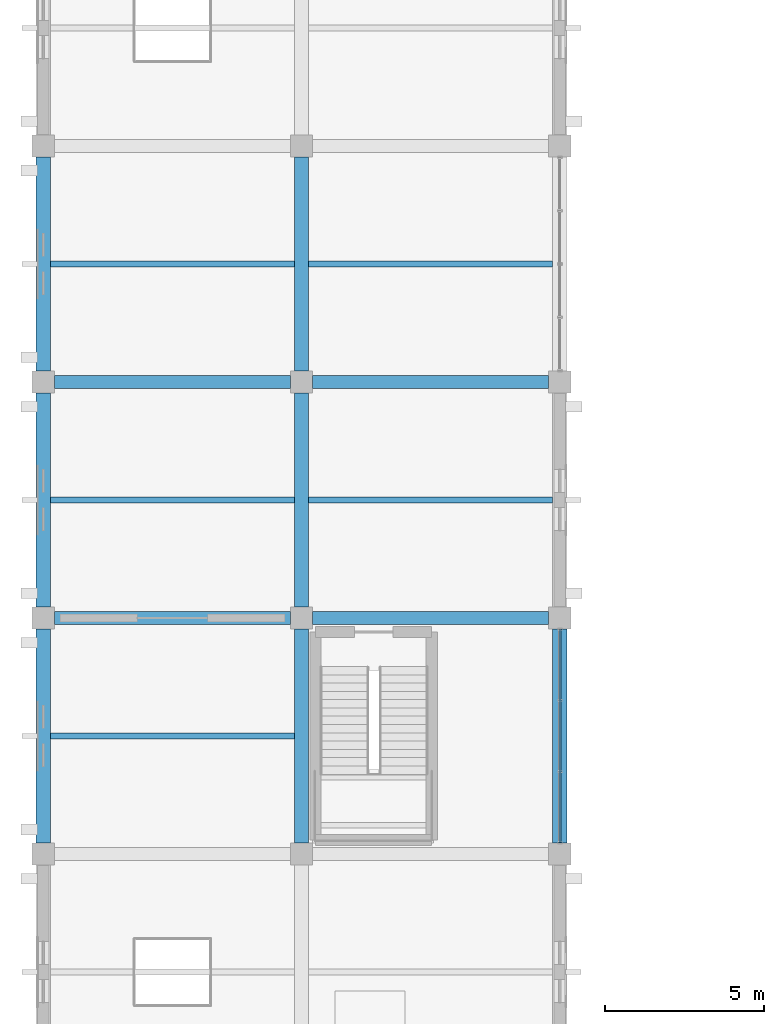
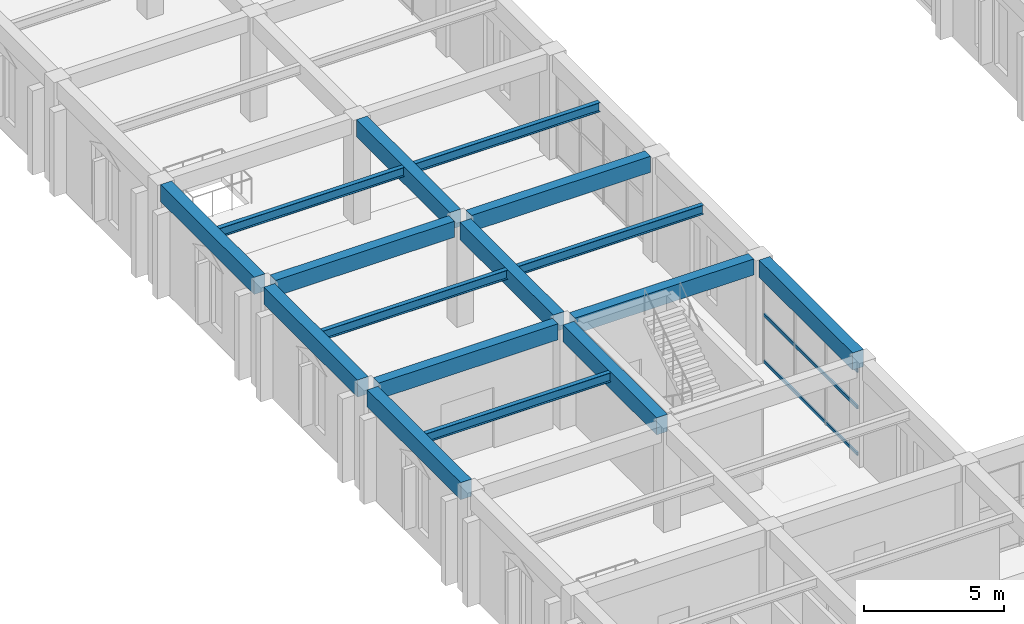
# One storey, part 15 of 161: 16 beams, 3 members, 1 element without a shape of its own.
"""IFC4 building model written with IfcOpenShell, lengths in metres."""

from ifc_helpers import new_model, si_unit, direction, frame, origin, origin_2d, place, context, subcontext, project, spatial, rectangle, hollow_rectangle, i_section, extrude, material, material_profile, profile_set, type_object, element, aggregate, save


model = new_model("IFC4")

# Units and contexts
model_context = context("Model", 3, precision=1e-05, world=origin(), true_north=direction((0.0, 1.0)))
body_context = subcontext(model_context, "Body", "Model", "MODEL_VIEW")
ifc_project = project(units=[si_unit("LENGTHUNIT", "METRE"), si_unit("AREAUNIT", "SQUARE_METRE"), si_unit("VOLUMEUNIT", "CUBIC_METRE"), si_unit("PLANEANGLEUNIT", "RADIAN"), si_unit("MASSUNIT", "GRAM", prefix="KILO")], contexts=[model_context])

# Site, building, storey
site_placement = place(None, origin())
site = spatial("IfcSite", under=ifc_project, at=site_placement, CompositionType="ELEMENT")
building_placement = place(site_placement, origin())
building = spatial("IfcBuilding", under=site, at=building_placement, Name="Cimatlan Art Gallery", CompositionType="ELEMENT")
storey_placement = place(building_placement, frame((0.0, 0.0, 5.39990234375)))
storey = spatial("IfcBuildingStorey", under=building, at=storey_placement, Name="L01", CompositionType="ELEMENT", Elevation=5.39990234375)

# Beams
ifc_material_1 = material(Name="Concrete C40/50", Category="concrete")
ifc_material_profile_1 = material_profile(ifc_material_1, rectangle(XDim=0.39990234375, YDim=0.699951171875, at=origin_2d()), Name="RC400X700")
ifc_profile_set_1 = profile_set([ifc_material_profile_1], Name="Concrete C40/50")
beam_type_1 = type_object("IfcBeamType", Name="BM-RC-400X700", PredefinedType="BEAM", material=ifc_profile_set_1)
for number, where, z_axis, x_axis, name in (
    (1, (2.35009765625, 53.5, 4.210205078125), (1.0, 0.0, 0.0), (0.0, 1.0, 0.0), "BM-X-L01-00-07"),
    (2, (2.35009765625, 60.89990234375, 4.210205078125), (1.0, 0.0, 0.0), (0.0, 1.0, 0.0), "BM-X-L01-00-08"),
):
    element("IfcBeam", number, at=place(storey_placement, frame(where, z_axis=z_axis, x_axis=x_axis)), inside=storey, type_object=beam_type_1, Name=name, PredefinedType="BEAM", context=body_context, shape_type="SweptSolid", body=[
        extrude(rectangle(XDim=0.39990234375, YDim=0.699951171875, at=origin_2d()), origin(), (0.0, 0.0, 1.0), 7.39990234375),
    ])
for number, where, z_axis, x_axis, name in (
    (3, (10.449951171875, 53.5, 4.210205078125), (1.0, 0.0, 0.0), (0.0, 1.0, 0.0), "BM-X-L01-01-07"),
    (4, (10.449951171875, 60.89990234375, 4.210205078125), (1.0, 0.0, 0.0), (0.0, 1.0, 0.0), "BM-X-L01-01-08"),
):
    element("IfcBeam", number, at=place(storey_placement, frame(where, z_axis=z_axis, x_axis=x_axis)), inside=storey, type_object=beam_type_1, Name=name, PredefinedType="BEAM", context=body_context, shape_type="SweptSolid", body=[
        extrude(rectangle(XDim=0.39990234375, YDim=0.699951171875, at=origin_2d()), origin(), (0.0, 0.0, 1.0), 7.400146484375),
    ])
ifc_material_profile_2 = material_profile(ifc_material_1, rectangle(XDim=0.449951171875, YDim=0.75, at=origin_2d()), Name="RC450X750")
ifc_profile_set_2 = profile_set([ifc_material_profile_2], Name="Concrete C40/50")
beam_type_2 = type_object("IfcBeamType", Name="BM-RC-450X750", PredefinedType="BEAM", material=ifc_profile_set_2)
for number, where, z_axis, x_axis, name in (
    (5, (2.0, 46.449951171875, 4.18505859375), (0.0, 1.0, 0.0), (-1.0, 0.0, 0.0), "BM-Y-L01-00-06"),
    (6, (2.0, 53.85009765625, 4.18505859375), (0.0, 1.0, 0.0), (-1.0, 0.0, 0.0), "BM-Y-L01-00-07"),
    (7, (2.0, 61.25, 4.18505859375), (0.0, 1.0, 0.0), (-1.0, 0.0, 0.0), "BM-Y-L01-00-08"),
    (8, (10.10009765625, 46.449951171875, 4.18505859375), (0.0, 1.0, 0.0), (-1.0, 0.0, 0.0), "BM-Y-L01-01-06"),
    (9, (10.10009765625, 53.85009765625, 4.18505859375), (0.0, 1.0, 0.0), (-1.0, 0.0, 0.0), "BM-Y-L01-01-07"),
    (10, (10.10009765625, 61.25, 4.18505859375), (0.0, 1.0, 0.0), (-1.0, 0.0, 0.0), "BM-Y-L01-01-08"),
    (11, (18.199951171875, 46.449951171875, 4.18505859375), (0.0, 1.0, 0.0), (-1.0, 0.0, 0.0), "BM-Y-L01-02-06"),
):
    element("IfcBeam", number, at=place(storey_placement, frame(where, z_axis=z_axis, x_axis=x_axis)), inside=storey, type_object=beam_type_2, Name=name, PredefinedType="BEAM", context=body_context, shape_type="SweptSolid", body=[
        extrude(rectangle(XDim=0.449951171875, YDim=0.75, at=origin_2d()), origin(), (0.0, 0.0, 1.0), 6.699951171875),
    ])
ifc_material_2 = material(Name="Steel ASTM A992 Grade 50", Category="steel")
ifc_material_profile_3 = material_profile(ifc_material_2, i_section(OverallWidth=0.177978515625, OverallDepth=0.406982421875, WebThickness=0.0078125, FlangeThickness=0.0126953125, at=origin_2d()), Name="W16X40")
ifc_profile_set_3 = profile_set([ifc_material_profile_3], Name="Steel ASTM A992 Grade 50")
beam_type_3 = type_object("IfcBeamType", Name="BM-STL-W16X40", PredefinedType="JOIST", material=ifc_profile_set_3)
for number, where, z_axis, x_axis, name in (
    (12, (2.22509765625, 49.800048828125, 4.356689453125), (1.0, 0.0, 0.0), (0.0, 1.0, 0.0), "JST-L01-00-06"),
    (13, (2.22509765625, 57.199951171875, 4.356689453125), (1.0, 0.0, 0.0), (0.0, 1.0, 0.0), "JST-L01-00-07"),
    (14, (2.22509765625, 64.60009765625, 4.356689453125), (1.0, 0.0, 0.0), (0.0, 1.0, 0.0), "JST-L01-00-08"),
):
    element("IfcBeam", number, at=place(storey_placement, frame(where, z_axis=z_axis, x_axis=x_axis)), inside=storey, type_object=beam_type_3, Name=name, PredefinedType="JOIST", context=body_context, shape_type="SweptSolid", body=[
        extrude(i_section(OverallWidth=0.177978515625, OverallDepth=0.406982421875, WebThickness=0.0078125, FlangeThickness=0.0126953125, at=origin_2d()), origin(), (0.0, 0.0, 1.0), 7.64990234375),
    ])
for number, where, z_axis, x_axis, name in (
    (15, (10.324951171875, 57.199951171875, 4.356689453125), (1.0, 0.0, 0.0), (0.0, 1.0, 0.0), "JST-L01-01-07"),
    (16, (10.324951171875, 64.60009765625, 4.356689453125), (1.0, 0.0, 0.0), (0.0, 1.0, 0.0), "JST-L01-01-08"),
):
    element("IfcBeam", number, at=place(storey_placement, frame(where, z_axis=z_axis, x_axis=x_axis)), inside=storey, type_object=beam_type_3, Name=name, PredefinedType="JOIST", context=body_context, shape_type="SweptSolid", body=[
        extrude(i_section(OverallWidth=0.177978515625, OverallDepth=0.406982421875, WebThickness=0.0078125, FlangeThickness=0.0126953125, at=origin_2d()), origin(), (0.0, 0.0, 1.0), 7.650146484375),
    ])

# Curtain wall, members
ifc_material_3 = material(Name="Anodised bronze unitised curtain wall")
curtain_wall_type = type_object("IfcCurtainWallType", Name="CW-V-06692X03750-B3", PredefinedType="NOTDEFINED", material=ifc_material_3)
curtain_wall_placement = place(storey_placement, origin())
curtain_wall = element("IfcCurtainWall", 17, at=curtain_wall_placement, inside=storey, type_object=curtain_wall_type, Name="CW-L01-01-06-E", PredefinedType="NOTDEFINED")
ifc_material_4 = material(Name="Anodised bronze aluminium 6063-T6", Category="aluminium")
ifc_material_profile_4 = material_profile(ifc_material_4, hollow_rectangle(XDim=0.06494140625, YDim=0.139892578125, WallThickness=0.00390625, at=origin_2d()), Name="ALU65X140X4")
ifc_profile_set_4 = profile_set([ifc_material_profile_4], Name="Anodised bronze aluminium 6063-T6")
member_type = type_object("IfcMemberType", Name="CW-TRN-140", PredefinedType="USERDEFINED", material=ifc_profile_set_4)
member_1_placement = place(storey_placement, frame((18.199951171875, 53.14599609375, 0.06005859375), z_axis=(0.0, -1.0, 0.0), x_axis=(1.0, 0.0, 0.0)))
member_1 = element("IfcMember", 18, at=member_1_placement, type_object=member_type, Name="CW-L01-01-06-E-T1", ObjectType="TRANSOM", PredefinedType="USERDEFINED", context=body_context, shape_type="SweptSolid", body=[
    extrude(hollow_rectangle(XDim=0.06494140625, YDim=0.139892578125, WallThickness=0.00390625, at=origin_2d()), origin(), (0.0, 0.0, 1.0), 6.69189453125),
])
member_2_placement = place(storey_placement, frame((18.199951171875, 53.14599609375, 2.10009765625), z_axis=(0.0, -1.0, 0.0), x_axis=(1.0, 0.0, 0.0)))
member_2 = element("IfcMember", 19, at=member_2_placement, type_object=member_type, Name="CW-L01-01-06-E-T2", ObjectType="TRANSOM", PredefinedType="USERDEFINED", context=body_context, shape_type="SweptSolid", body=[
    extrude(hollow_rectangle(XDim=0.06494140625, YDim=0.139892578125, WallThickness=0.00390625, at=origin_2d()), origin(), (0.0, 0.0, 1.0), 6.69189453125),
])
member_3_placement = place(storey_placement, frame((18.199951171875, 53.14599609375, 3.690185546875), z_axis=(0.0, -1.0, 0.0), x_axis=(1.0, 0.0, 0.0)))
member_3 = element("IfcMember", 20, at=member_3_placement, type_object=member_type, Name="CW-L01-01-06-E-T3", ObjectType="TRANSOM", PredefinedType="USERDEFINED", context=body_context, shape_type="SweptSolid", body=[
    extrude(hollow_rectangle(XDim=0.06494140625, YDim=0.139892578125, WallThickness=0.00390625, at=origin_2d()), origin(), (0.0, 0.0, 1.0), 6.69189453125),
])
aggregate(curtain_wall, [member_1, member_2, member_3])

save(model, "model.ifc")
